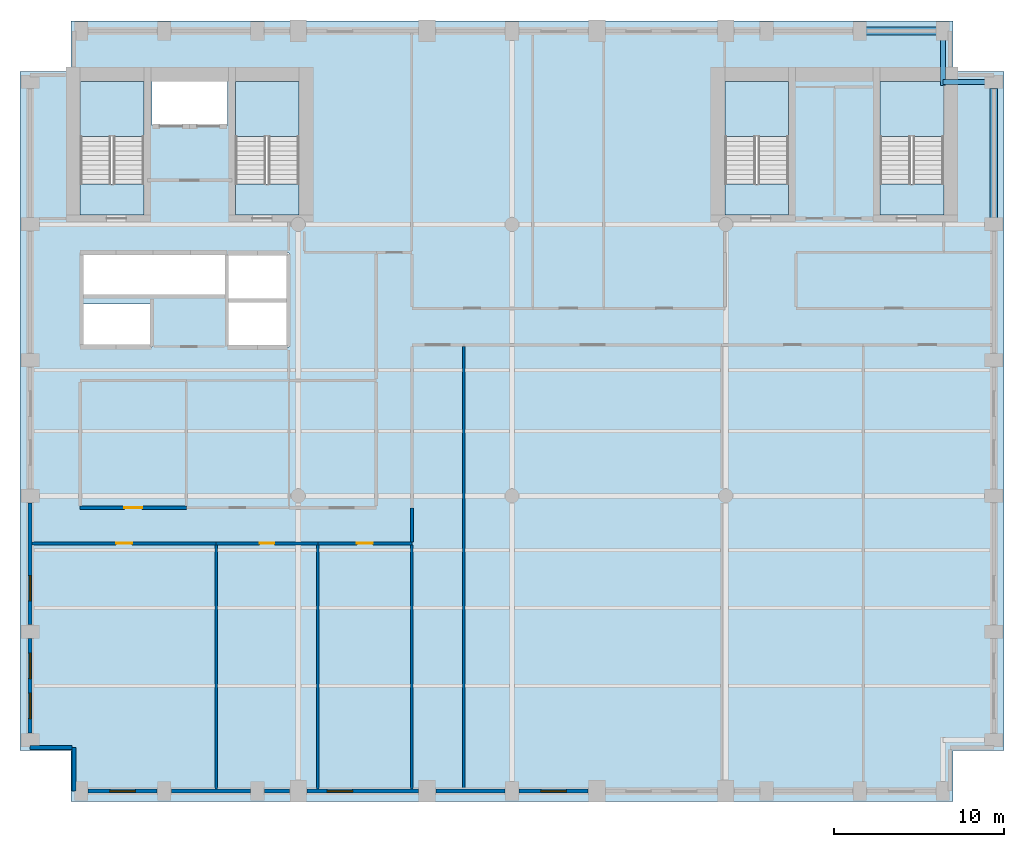
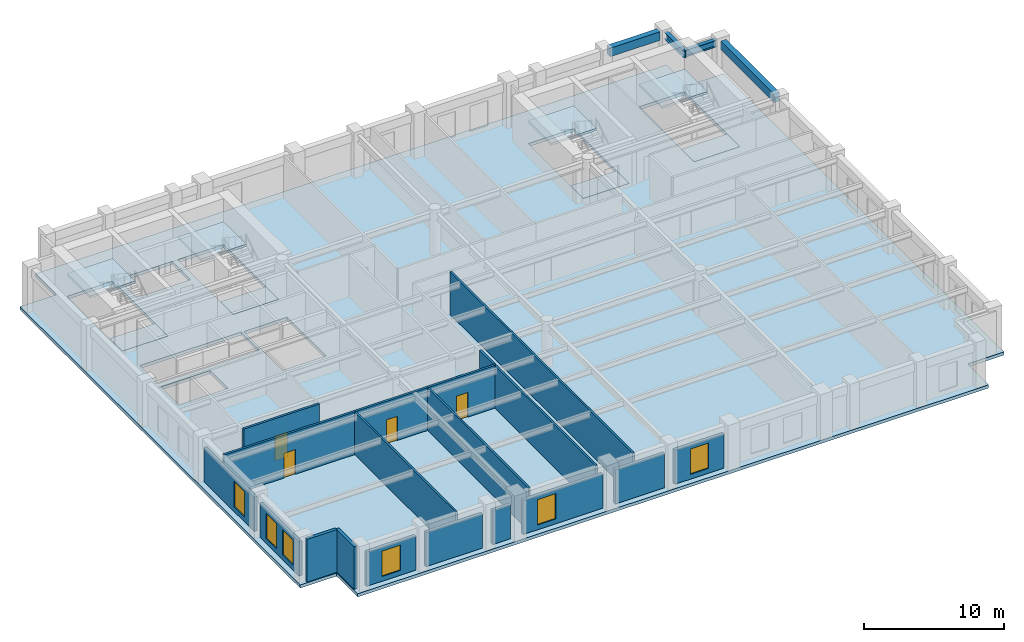
# One storey, part 2 of 8: 19 walls, 9 slabs, 6 windows, 4 beams, 4 doors, 10 openings, 4 elements without a shape of their own.
"""IFC4 building model written with IfcOpenShell, lengths in metres."""

from ifc_helpers import new_model, si_unit, direction, frame, frame_2d, origin, origin_2d, place, context, subcontext, project, spatial, polyline, rectangle, i_section, outline, extrude, material, layer, layer_set, material_profile, profile_set, type_object, element, fill, aggregate, save


model = new_model("IFC4")

# Units and contexts
model_context = context("Model", 3, precision=1e-05, world=origin(), true_north=direction((0.0, 1.0)))
body_context = subcontext(model_context, "Body", "Model", "MODEL_VIEW")
ifc_project = project(units=[si_unit("LENGTHUNIT", "METRE"), si_unit("AREAUNIT", "SQUARE_METRE"), si_unit("VOLUMEUNIT", "CUBIC_METRE"), si_unit("PLANEANGLEUNIT", "RADIAN"), si_unit("MASSUNIT", "GRAM", prefix="KILO")], contexts=[model_context])

# Site, building, storey
site_placement = place(None, origin())
site = spatial("IfcSite", under=ifc_project, at=site_placement, CompositionType="ELEMENT")
building_placement = place(site_placement, origin())
building = spatial("IfcBuilding", under=site, at=building_placement, Name="Sulina Concourse Tower", CompositionType="ELEMENT")
storey_placement = place(building_placement, frame((0.0, 0.0, 170.60009765625)))
storey = spatial("IfcBuildingStorey", under=building, at=storey_placement, Name="L41", CompositionType="ELEMENT", Elevation=170.60009765625)

# Beams
ifc_material_1 = material(Name="Steel S355", Category="steel")
ifc_material_profile_1 = material_profile(ifc_material_1, i_section(OverallWidth=0.300048828125, OverallDepth=0.60009765625, WebThickness=0.015380859375, FlangeThickness=0.030029296875, at=origin_2d()), Name="HE 600 B")
ifc_profile_set_1 = profile_set([ifc_material_profile_1], Name="Steel S355")
beam_type_1 = type_object("IfcBeamType", Name="Floor Primary Girder Zone 3 HE600B", PredefinedType="BEAM", material=ifc_profile_set_1)
beam_1_placement = place(storey_placement, frame((54.39990234375, 42.39990234375, 3.4248046875), z_axis=(1.0, 0.0, 0.0), x_axis=(0.0, 1.0, 0.0)))
element("IfcBeam", 1, at=beam_1_placement, inside=storey, type_object=beam_type_1, Name="TIE-NE-L41", PredefinedType="BEAM", context=body_context, shape_type="SweptSolid", body=[
    extrude(i_section(OverallWidth=0.300048828125, OverallDepth=0.60009765625, WebThickness=0.015380859375, FlangeThickness=0.030029296875, at=origin_2d()), origin(), (0.0, 0.0, 1.0), 2.6201171875),
])
beam_2_placement = place(storey_placement, frame((54.39990234375, 42.199951171875, 3.4248046875), z_axis=(0.0, 1.0, 0.0), x_axis=(-1.0, 0.0, 0.0)))
element("IfcBeam", 2, at=beam_2_placement, inside=storey, type_object=beam_type_1, Name="TIE-NEN-L41", PredefinedType="BEAM", context=body_context, shape_type="SweptSolid", body=[
    extrude(i_section(OverallWidth=0.300048828125, OverallDepth=0.60009765625, WebThickness=0.015380859375, FlangeThickness=0.030029296875, at=origin_2d()), origin(), (0.0, 0.0, 1.0), 2.820068359375),
])
ifc_material_2 = material(Name="Precast concrete C50/60", Category="concrete")
ifc_material_profile_2 = material_profile(ifc_material_2, rectangle(XDim=0.449951171875, YDim=0.75, at=origin_2d()), Name="RC 450x750")
ifc_profile_set_2 = profile_set([ifc_material_profile_2], Name="Precast concrete C50/60")
beam_type_2 = type_object("IfcBeamType", Name="Upper Precast Spandrel Edge Beam 450x750", PredefinedType="BEAM", material=ifc_profile_set_2)
beam_3_placement = place(storey_placement, frame((49.8798828125, 45.39990234375, 3.349853515625), z_axis=(1.0, 0.0, 0.0), x_axis=(0.0, 1.0, 0.0)))
element("IfcBeam", 3, at=beam_3_placement, inside=storey, type_object=beam_type_2, Name="SP-N10-L41", PredefinedType="BEAM", context=body_context, shape_type="SweptSolid", body=[
    extrude(rectangle(XDim=0.449951171875, YDim=0.75, at=origin_2d()), origin(), (0.0, 0.0, 1.0), 4.14013671875),
])
beam_4_placement = place(storey_placement, frame((57.39990234375, 34.3798828125, 3.349853515625), z_axis=(0.0, 1.0, 0.0), x_axis=(-1.0, 0.0, 0.0)))
element("IfcBeam", 4, at=beam_4_placement, inside=storey, type_object=beam_type_2, Name="SP-E5-L41", PredefinedType="BEAM", context=body_context, shape_type="SweptSolid", body=[
    extrude(rectangle(XDim=0.449951171875, YDim=0.75, at=origin_2d()), origin(), (0.0, 0.0, 1.0), 7.64013671875),
])

# Slabs
ifc_material_3 = material(Name="Concrete C50/60", Category="concrete")
ifc_layer_1 = layer(ifc_material_3, 0.27490234375)
ifc_layer_set_1 = layer_set([ifc_layer_1], Name="Concrete C50/60")
slab_type_1 = type_object("IfcSlabType", Name="Mid-Rise Composite Floor Slab 275mm", PredefinedType="FLOOR", material=ifc_layer_set_1)
slab_1_placement = place(storey_placement, frame((0.0, 0.0, -0.275146484375)))
element("IfcSlab", 5, at=slab_1_placement, inside=storey, type_object=slab_type_1, Name="L41 structural floor slab", PredefinedType="FLOOR", context=body_context, shape_type="SweptSolid", body=[
    extrude(outline(polyline([(3.0, 0.0), (55.0, 0.0), (55.0, 3.0), (58.0, 3.0), (58.0, 43.0), (55.0, 43.0), (55.0, 46.0), (3.0, 46.0), (3.0, 43.0), (0.0, 43.0), (0.0, 3.0), (3.0, 3.0), (3.0, 0.0)]), holes=[polyline([(7.31005859375, 34.550048828125), (7.31005859375, 42.429931640625), (3.550048828125, 42.429931640625), (3.550048828125, 34.550048828125), (7.31005859375, 34.550048828125)]), polyline([(16.449951171875, 34.550048828125), (16.449951171875, 42.429931640625), (12.68994140625, 42.429931640625), (12.68994140625, 34.550048828125), (16.449951171875, 34.550048828125)]), polyline([(45.31005859375, 34.550048828125), (45.31005859375, 42.429931640625), (41.550048828125, 42.429931640625), (41.550048828125, 34.550048828125), (45.31005859375, 34.550048828125)]), polyline([(54.449951171875, 34.550048828125), (54.449951171875, 42.429931640625), (50.68994140625, 42.429931640625), (50.68994140625, 34.550048828125), (54.449951171875, 34.550048828125)]), polyline([(7.780029296875, 39.830078125), (12.219970703125, 39.830078125), (12.219970703125, 42.449951171875), (7.780029296875, 42.449951171875), (7.780029296875, 39.830078125)]), polyline([(3.739990234375, 26.780029296875), (7.77001953125, 26.780029296875), (7.77001953125, 29.320068359375), (3.739990234375, 29.320068359375), (3.739990234375, 26.780029296875)]), polyline([(3.739990234375, 29.780029296875), (12.10009765625, 29.780029296875), (12.10009765625, 32.3701171875), (3.739990234375, 32.3701171875), (3.739990234375, 29.780029296875)]), polyline([(12.280029296875, 26.780029296875), (15.85009765625, 26.780029296875), (15.85009765625, 32.320068359375), (12.280029296875, 32.320068359375), (12.280029296875, 26.780029296875)])]), origin(), (0.0, 0.0, 1.0), 0.275146484375),
])
ifc_material_4 = material(Name="Concrete C50/60", Category="concrete")
ifc_layer_2 = layer(ifc_material_4, 0.199951171875)
ifc_layer_set_2 = layer_set([ifc_layer_2], Name="Concrete C50/60")
slab_type_2 = type_object("IfcSlabType", Name="Primary Core Stair Landing Slab 200mm", PredefinedType="LANDING", material=ifc_layer_set_2)
slab_2_placement = place(storey_placement, frame((0.0, 0.0, -0.2001953125)))
element("IfcSlab", 6, at=slab_2_placement, inside=storey, type_object=slab_type_2, Name="L41 ST-1 floor landing slab", PredefinedType="LANDING", context=body_context, shape_type="SweptSolid", body=[
    extrude(outline(polyline([(7.31005859375, 34.550048828125), (7.31005859375, 36.375), (3.550048828125, 36.375), (3.550048828125, 34.550048828125), (7.31005859375, 34.550048828125)])), origin(), (0.0, 0.0, 1.0), 0.2001953125),
])
slab_3_placement = place(storey_placement, frame((0.0, 0.0, -0.2001953125)))
element("IfcSlab", 7, at=slab_3_placement, inside=storey, type_object=slab_type_2, Name="L41 ST-2 floor landing slab", PredefinedType="LANDING", context=body_context, shape_type="SweptSolid", body=[
    extrude(outline(polyline([(16.449951171875, 34.550048828125), (16.449951171875, 36.375), (12.68994140625, 36.375), (12.68994140625, 34.550048828125), (16.449951171875, 34.550048828125)])), origin(), (0.0, 0.0, 1.0), 0.2001953125),
])
slab_4_placement = place(storey_placement, frame((0.0, 0.0, -0.2001953125)))
element("IfcSlab", 8, at=slab_4_placement, inside=storey, type_object=slab_type_2, Name="L41 ST-3 floor landing slab", PredefinedType="LANDING", context=body_context, shape_type="SweptSolid", body=[
    extrude(outline(polyline([(45.31005859375, 34.550048828125), (45.31005859375, 36.375), (41.550048828125, 36.375), (41.550048828125, 34.550048828125), (45.31005859375, 34.550048828125)])), origin(), (0.0, 0.0, 1.0), 0.2001953125),
])
slab_5_placement = place(storey_placement, frame((0.0, 0.0, -0.2001953125)))
element("IfcSlab", 9, at=slab_5_placement, inside=storey, type_object=slab_type_2, Name="L41 ST-4 floor landing slab", PredefinedType="LANDING", context=body_context, shape_type="SweptSolid", body=[
    extrude(outline(polyline([(54.449951171875, 34.550048828125), (54.449951171875, 36.375), (50.68994140625, 36.375), (50.68994140625, 34.550048828125), (54.449951171875, 34.550048828125)])), origin(), (0.0, 0.0, 1.0), 0.2001953125),
])

# Stair, slab
ifc_material_5 = material(Name="Concrete C50/60", Category="concrete")
stair_type_1 = type_object("IfcStairType", Name="Primary Core Dog-Leg Exit Stair 1800mm", PredefinedType="HALF_TURN_STAIR", material=ifc_material_5)
stair_1_placement = place(storey_placement, origin())
stair_1 = element("IfcStair", 10, at=stair_1_placement, inside=storey, type_object=stair_type_1, Name="L41 ST-1", PredefinedType="HALF_TURN_STAIR")
slab_6_placement = place(storey_placement, frame((0.0, 0.0, 1.7998046875)))
slab_6 = element("IfcSlab", 11, at=slab_6_placement, type_object=slab_type_2, Name="ST-1 landing 1", PredefinedType="LANDING", context=body_context, shape_type="SweptSolid", body=[
    extrude(outline(polyline([(7.304931640625, 39.175048828125), (7.304931640625, 42.425048828125), (3.554931640625, 42.425048828125), (3.554931640625, 39.175048828125), (7.304931640625, 39.175048828125)])), origin(), (0.0, 0.0, 1.0), 0.2001953125),
])
aggregate(stair_1, [slab_6])

stair_2_placement = place(storey_placement, origin())
stair_2 = element("IfcStair", 12, at=stair_2_placement, inside=storey, type_object=stair_type_1, Name="L41 ST-2", PredefinedType="HALF_TURN_STAIR")
slab_7_placement = place(storey_placement, frame((0.0, 0.0, 1.7998046875)))
slab_7 = element("IfcSlab", 13, at=slab_7_placement, type_object=slab_type_2, Name="ST-2 landing 1", PredefinedType="LANDING", context=body_context, shape_type="SweptSolid", body=[
    extrude(outline(polyline([(16.445068359375, 39.175048828125), (16.445068359375, 42.425048828125), (12.695068359375, 42.425048828125), (12.695068359375, 39.175048828125), (16.445068359375, 39.175048828125)])), origin(), (0.0, 0.0, 1.0), 0.2001953125),
])
aggregate(stair_2, [slab_7])

ifc_material_6 = material(Name="Concrete C50/60", Category="concrete")
stair_type_2 = type_object("IfcStairType", Name="Portal & Podium Core Exit Stair 1820mm", PredefinedType="HALF_TURN_STAIR", material=ifc_material_6)
stair_3_placement = place(storey_placement, origin())
stair_3 = element("IfcStair", 14, at=stair_3_placement, inside=storey, type_object=stair_type_2, Name="L41 ST-3", PredefinedType="HALF_TURN_STAIR")
slab_8_placement = place(storey_placement, frame((0.0, 0.0, 1.7998046875)))
slab_8 = element("IfcSlab", 15, at=slab_8_placement, type_object=slab_type_2, Name="ST-3 landing 1", PredefinedType="LANDING", context=body_context, shape_type="SweptSolid", body=[
    extrude(outline(polyline([(45.304931640625, 39.175048828125), (45.304931640625, 42.425048828125), (41.554931640625, 42.425048828125), (41.554931640625, 39.175048828125), (45.304931640625, 39.175048828125)])), origin(), (0.0, 0.0, 1.0), 0.2001953125),
])
aggregate(stair_3, [slab_8])

stair_4_placement = place(storey_placement, origin())
stair_4 = element("IfcStair", 16, at=stair_4_placement, inside=storey, type_object=stair_type_2, Name="L41 ST-4", PredefinedType="HALF_TURN_STAIR")
slab_9_placement = place(storey_placement, frame((0.0, 0.0, 1.7998046875)))
slab_9 = element("IfcSlab", 17, at=slab_9_placement, type_object=slab_type_2, Name="ST-4 landing 1", PredefinedType="LANDING", context=body_context, shape_type="SweptSolid", body=[
    extrude(outline(polyline([(54.445068359375, 39.175048828125), (54.445068359375, 42.425048828125), (50.695068359375, 42.425048828125), (50.695068359375, 39.175048828125), (54.445068359375, 39.175048828125)])), origin(), (0.0, 0.0, 1.0), 0.2001953125),
])
aggregate(stair_4, [slab_9])

# Wall, opening, window
ifc_material_7 = material(Name="Precast concrete C50/60", Category="concrete")
ifc_layer_3 = layer(ifc_material_7, 0.239990234375)
ifc_layer_set_3 = layer_set([ifc_layer_3], Name="Precast concrete C50/60")
wall_type_1 = type_object("IfcWallType", Name="Crown Precast Masonry-Frame Facade Wall 240mm", PredefinedType="SOLIDWALL", material=ifc_layer_set_3)
wall_1_placement = place(storey_placement, frame((8.080078125, 0.60009765625, 0.0), z_axis=(0.0, 0.0, 1.0), x_axis=(-1.0, 0.0, 0.0)))
wall_1 = element("IfcWall", 18, at=wall_1_placement, inside=storey, type_object=wall_type_1, Name="L41 exterior precast wall S1", PredefinedType="SOLIDWALL", context=body_context, shape_type="SweptSolid", body=[
    extrude(rectangle(XDim=4.06005859375, YDim=0.239990234375, at=frame_2d((2.030029296875, 0.0))), origin(), (0.0, 0.0, 1.0), 2.974853515625),
])
opening_1_placement = place(wall_1_placement, frame((1.280029296875, 0.0, 0.419921875)))
opening_1 = element("IfcOpeningElement", 19, at=opening_1_placement, cuts=wall_1, Name="Opening WN-71", PredefinedType="OPENING", context=body_context, shape_type="SweptSolid", body=[
    extrude(rectangle(XDim=1.5, YDim=2.199951171875, at=frame_2d((0.75, 1.10009765625))), frame((0.0, 0.1298828125, 0.0), z_axis=(0.0, -1.0, 0.0), x_axis=(1.0, 0.0, 0.0)), (0.0, 0.0, 1.0), 0.260009765625),
])
ifc_material_8 = material(Name="Low-E solar double glazing in bronze aluminium", Category="aluminium")
window_type = type_object("IfcWindowType", Name="Punched Masonry-Frame Window 1500x2200", PartitioningType="SINGLE_PANEL", PredefinedType="WINDOW", material=ifc_material_8)
window_1_placement = place(opening_1_placement, origin())
window_1 = element("IfcWindow", 20, at=window_1_placement, inside=storey, type_object=window_type, Name="L41 punched window S1-1", OverallHeight=2.199951171875, OverallWidth=1.5, PartitioningType="SINGLE_PANEL", PredefinedType="WINDOW", context=body_context, shape_type="SweptSolid", body=[
    extrude(rectangle(XDim=1.5, YDim=2.199951171875, at=frame_2d((0.75, 1.10009765625))), frame((0.0, 0.030029296875, 0.0), z_axis=(0.0, -1.0, 0.0), x_axis=(1.0, 0.0, 0.0)), (0.0, 0.0, 1.0), 0.06005859375),
])
fill(opening_1, window_1)

# Walls
wall_2_placement = place(storey_placement, frame((13.580078125, 0.60009765625, 0.0), z_axis=(0.0, 0.0, 1.0), x_axis=(-1.0, 0.0, 0.0)))
element("IfcWall", 21, at=wall_2_placement, inside=storey, type_object=wall_type_1, Name="L41 exterior precast wall S2", PredefinedType="SOLIDWALL", context=body_context, shape_type="SweptSolid", body=[
    extrude(rectangle(XDim=4.66015625, YDim=0.239990234375, at=frame_2d((2.330078125, 0.0))), origin(), (0.0, 0.0, 1.0), 2.974853515625),
])
wall_3_placement = place(storey_placement, frame((15.8798828125, 0.60009765625, 0.0), z_axis=(0.0, 0.0, 1.0), x_axis=(-1.0, 0.0, 0.0)))
element("IfcWall", 22, at=wall_3_placement, inside=storey, type_object=wall_type_1, Name="L41 exterior precast wall S3", PredefinedType="SOLIDWALL", context=body_context, shape_type="SweptSolid", body=[
    extrude(rectangle(XDim=1.4599609375, YDim=0.239990234375, at=frame_2d((0.72998046875, 0.0))), origin(), (0.0, 0.0, 1.0), 2.974853515625),
])

# Wall, opening, window
wall_4_placement = place(storey_placement, frame((23.47998046875, 0.60009765625, 0.0), z_axis=(0.0, 0.0, 1.0), x_axis=(-1.0, 0.0, 0.0)))
wall_4 = element("IfcWall", 23, at=wall_4_placement, inside=storey, type_object=wall_type_1, Name="L41 exterior precast wall S4", PredefinedType="SOLIDWALL", context=body_context, shape_type="SweptSolid", body=[
    extrude(rectangle(XDim=6.56005859375, YDim=0.239990234375, at=frame_2d((3.280029296875, 0.0))), origin(), (0.0, 0.0, 1.0), 2.974853515625),
])
opening_2_placement = place(wall_4_placement, frame((3.873291015625, 0.0, 0.419921875)))
opening_2 = element("IfcOpeningElement", 24, at=opening_2_placement, cuts=wall_4, Name="Opening WN-71", PredefinedType="OPENING", context=body_context, shape_type="SweptSolid", body=[
    extrude(rectangle(XDim=1.5, YDim=2.199951171875, at=frame_2d((0.75, 1.10009765625))), frame((0.0, 0.1298828125, 0.0), z_axis=(0.0, -1.0, 0.0), x_axis=(1.0, 0.0, 0.0)), (0.0, 0.0, 1.0), 0.260009765625),
])
window_2_placement = place(opening_2_placement, origin())
window_2 = element("IfcWindow", 25, at=window_2_placement, inside=storey, type_object=window_type, Name="L41 punched window S4-1", OverallHeight=2.199951171875, OverallWidth=1.5, PartitioningType="SINGLE_PANEL", PredefinedType="WINDOW", context=body_context, shape_type="SweptSolid", body=[
    extrude(rectangle(XDim=1.5, YDim=2.199951171875, at=frame_2d((0.75, 1.10009765625))), frame((0.0, 0.030029296875, 0.0), z_axis=(0.0, -1.0, 0.0), x_axis=(1.0, 0.0, 0.0)), (0.0, 0.0, 1.0), 0.06005859375),
])
fill(opening_2, window_2)

# Wall
wall_5_placement = place(storey_placement, frame((28.580078125, 0.60009765625, 0.0), z_axis=(0.0, 0.0, 1.0), x_axis=(-1.0, 0.0, 0.0)))
element("IfcWall", 26, at=wall_5_placement, inside=storey, type_object=wall_type_1, Name="L41 exterior precast wall S5", PredefinedType="SOLIDWALL", context=body_context, shape_type="SweptSolid", body=[
    extrude(rectangle(XDim=4.06005859375, YDim=0.239990234375, at=frame_2d((2.030029296875, 0.0))), origin(), (0.0, 0.0, 1.0), 2.974853515625),
])

# Wall, opening, window
wall_6_placement = place(storey_placement, frame((33.47998046875, 0.60009765625, 0.0), z_axis=(0.0, 0.0, 1.0), x_axis=(-1.0, 0.0, 0.0)))
wall_6 = element("IfcWall", 27, at=wall_6_placement, inside=storey, type_object=wall_type_1, Name="L41 exterior precast wall S6", PredefinedType="SOLIDWALL", context=body_context, shape_type="SweptSolid", body=[
    extrude(rectangle(XDim=4.06005859375, YDim=0.239990234375, at=frame_2d((2.030029296875, 0.0))), origin(), (0.0, 0.0, 1.0), 2.974853515625),
])
opening_3_placement = place(wall_6_placement, frame((1.280029296875, 0.0, 0.419921875)))
opening_3 = element("IfcOpeningElement", 28, at=opening_3_placement, cuts=wall_6, Name="Opening WN-71", PredefinedType="OPENING", context=body_context, shape_type="SweptSolid", body=[
    extrude(rectangle(XDim=1.5, YDim=2.199951171875, at=frame_2d((0.75, 1.10009765625))), frame((0.0, 0.1298828125, 0.0), z_axis=(0.0, -1.0, 0.0), x_axis=(1.0, 0.0, 0.0)), (0.0, 0.0, 1.0), 0.260009765625),
])
window_3_placement = place(opening_3_placement, origin())
window_3 = element("IfcWindow", 29, at=window_3_placement, inside=storey, type_object=window_type, Name="L41 punched window S6-1", OverallHeight=2.199951171875, OverallWidth=1.5, PartitioningType="SINGLE_PANEL", PredefinedType="WINDOW", context=body_context, shape_type="SweptSolid", body=[
    extrude(rectangle(XDim=1.5, YDim=2.199951171875, at=frame_2d((0.75, 1.10009765625))), frame((0.0, 0.030029296875, 0.0), z_axis=(0.0, -1.0, 0.0), x_axis=(1.0, 0.0, 0.0)), (0.0, 0.0, 1.0), 0.06005859375),
])
fill(opening_3, window_3)

# Wall, openings, windows
wall_7_placement = place(storey_placement, frame((0.60009765625, 4.02001953125, 0.0), z_axis=(0.0, 0.0, 1.0), x_axis=(0.0, 1.0, 0.0)))
wall_7 = element("IfcWall", 30, at=wall_7_placement, inside=storey, type_object=wall_type_1, Name="L41 exterior precast wall W1", PredefinedType="SOLIDWALL", context=body_context, shape_type="SweptSolid", body=[
    extrude(rectangle(XDim=5.56005859375, YDim=0.239990234375, at=frame_2d((2.780029296875, 0.0))), origin(), (0.0, 0.0, 1.0), 2.974853515625),
])
opening_4_placement = place(wall_7_placement, frame((0.853271484375, 0.0, 0.419921875)))
opening_4 = element("IfcOpeningElement", 31, at=opening_4_placement, cuts=wall_7, Name="Opening WN-71", PredefinedType="OPENING", context=body_context, shape_type="SweptSolid", body=[
    extrude(rectangle(XDim=1.5, YDim=2.199951171875, at=frame_2d((0.75, 1.10009765625))), frame((0.0, 0.1298828125, 0.0), z_axis=(0.0, -1.0, 0.0), x_axis=(1.0, 0.0, 0.0)), (0.0, 0.0, 1.0), 0.260009765625),
])
opening_5_placement = place(wall_7_placement, frame((3.206787109375, 0.0, 0.419921875)))
opening_5 = element("IfcOpeningElement", 32, at=opening_5_placement, cuts=wall_7, Name="Opening WN-71", PredefinedType="OPENING", context=body_context, shape_type="SweptSolid", body=[
    extrude(rectangle(XDim=1.5, YDim=2.199951171875, at=frame_2d((0.75, 1.10009765625))), frame((0.0, 0.1298828125, 0.0), z_axis=(0.0, -1.0, 0.0), x_axis=(1.0, 0.0, 0.0)), (0.0, 0.0, 1.0), 0.260009765625),
])
window_4_placement = place(opening_4_placement, origin())
window_4 = element("IfcWindow", 33, at=window_4_placement, inside=storey, type_object=window_type, Name="L41 punched window W1-1", OverallHeight=2.199951171875, OverallWidth=1.5, PartitioningType="SINGLE_PANEL", PredefinedType="WINDOW", context=body_context, shape_type="SweptSolid", body=[
    extrude(rectangle(XDim=1.5, YDim=2.199951171875, at=frame_2d((0.75, 1.10009765625))), frame((0.0, 0.030029296875, 0.0), z_axis=(0.0, -1.0, 0.0), x_axis=(1.0, 0.0, 0.0)), (0.0, 0.0, 1.0), 0.06005859375),
])
fill(opening_4, window_4)
window_5_placement = place(opening_5_placement, origin())
window_5 = element("IfcWindow", 34, at=window_5_placement, inside=storey, type_object=window_type, Name="L41 punched window W1-2", OverallHeight=2.199951171875, OverallWidth=1.5, PartitioningType="SINGLE_PANEL", PredefinedType="WINDOW", context=body_context, shape_type="SweptSolid", body=[
    extrude(rectangle(XDim=1.5, YDim=2.199951171875, at=frame_2d((0.75, 1.10009765625))), frame((0.0, 0.030029296875, 0.0), z_axis=(0.0, -1.0, 0.0), x_axis=(1.0, 0.0, 0.0)), (0.0, 0.0, 1.0), 0.06005859375),
])
fill(opening_5, window_5)

# Wall, opening, window
wall_8_placement = place(storey_placement, frame((0.60009765625, 10.419921875, 0.0), z_axis=(0.0, 0.0, 1.0), x_axis=(0.0, 1.0, 0.0)))
wall_8 = element("IfcWall", 35, at=wall_8_placement, inside=storey, type_object=wall_type_1, Name="L41 exterior precast wall W2", PredefinedType="SOLIDWALL", context=body_context, shape_type="SweptSolid", body=[
    extrude(rectangle(XDim=7.16015625, YDim=0.239990234375, at=frame_2d((3.580078125, 0.0))), origin(), (0.0, 0.0, 1.0), 2.974853515625),
])
opening_6_placement = place(wall_8_placement, frame((1.38671875, 0.0, 0.419921875)))
opening_6 = element("IfcOpeningElement", 36, at=opening_6_placement, cuts=wall_8, Name="Opening WN-71", PredefinedType="OPENING", context=body_context, shape_type="SweptSolid", body=[
    extrude(rectangle(XDim=1.5, YDim=2.199951171875, at=frame_2d((0.75, 1.10009765625))), frame((0.0, 0.1298828125, 0.0), z_axis=(0.0, -1.0, 0.0), x_axis=(1.0, 0.0, 0.0)), (0.0, 0.0, 1.0), 0.260009765625),
])
window_6_placement = place(opening_6_placement, origin())
window_6 = element("IfcWindow", 37, at=window_6_placement, inside=storey, type_object=window_type, Name="L41 punched window W2-1", OverallHeight=2.199951171875, OverallWidth=1.5, PartitioningType="SINGLE_PANEL", PredefinedType="WINDOW", context=body_context, shape_type="SweptSolid", body=[
    extrude(rectangle(XDim=1.5, YDim=2.199951171875, at=frame_2d((0.75, 1.10009765625))), frame((0.0, 0.030029296875, 0.0), z_axis=(0.0, -1.0, 0.0), x_axis=(1.0, 0.0, 0.0)), (0.0, 0.0, 1.0), 0.06005859375),
])
fill(opening_6, window_6)

# Walls
wall_9_placement = place(storey_placement, frame((3.179931640625, 0.60009765625, 0.0), z_axis=(0.0, 0.0, 1.0), x_axis=(0.0, 1.0, 0.0)))
element("IfcWall", 38, at=wall_9_placement, inside=storey, type_object=wall_type_1, Name="L41 exterior precast wall CSW1", PredefinedType="SOLIDWALL", context=body_context, shape_type="SweptSolid", body=[
    extrude(rectangle(XDim=2.579833984375, YDim=0.239990234375, at=frame_2d((1.2900390625, 0.0))), origin(), (0.0, 0.0, 1.0), 3.724853515625),
])
wall_10_placement = place(storey_placement, frame((3.054931640625, 3.179931640625, 0.0), z_axis=(0.0, 0.0, 1.0), x_axis=(-1.0, 0.0, 0.0)))
element("IfcWall", 39, at=wall_10_placement, inside=storey, type_object=wall_type_1, Name="L41 exterior precast wall CSW2", PredefinedType="SOLIDWALL", context=body_context, shape_type="SweptSolid", body=[
    extrude(rectangle(XDim=2.454833984375, YDim=0.239990234375, at=frame_2d((1.2275390625, 0.0))), origin(), (0.0, 0.0, 1.0), 3.724853515625),
])
ifc_material_9 = material(Name="Gypsum board on steel stud", Category="steel")
ifc_layer_4 = layer(ifc_material_9, 0.14990234375)
ifc_layer_set_4 = layer_set([ifc_layer_4], Name="Gypsum board on steel stud")
wall_type_2 = type_object("IfcWallType", Name="Inter-Tenancy Acoustic Partition 150mm", PredefinedType="PARTITIONING", material=ifc_layer_set_4)
for number, where, z_axis, x_axis, name in (
    (40, (11.56005859375, 0.719970703125, 0.0), (0.0, 0.0, 1.0), (0.0, 1.0, 0.0), "L41 interior partition 028"),
    (41, (17.56005859375, 0.719970703125, 0.0), (0.0, 0.0, 1.0), (0.0, 1.0, 0.0), "L41 interior partition 033"),
    (42, (23.10009765625, 0.719970703125, 0.0), (0.0, 0.0, 1.0), (0.0, 1.0, 0.0), "L41 interior partition 036"),
):
    element("IfcWall", number, at=place(storey_placement, frame(where, z_axis=z_axis, x_axis=x_axis)), inside=storey, type_object=wall_type_2, Name=name, PredefinedType="PARTITIONING", context=body_context, shape_type="SweptSolid", body=[
        extrude(rectangle(XDim=14.39013671875, YDim=0.14990234375, at=frame_2d((7.195068359375, 0.0))), origin(), (0.0, 0.0, 1.0), 3.724853515625),
    ])
wall_11_placement = place(storey_placement, frame((26.159912109375, 0.719970703125, 0.0), z_axis=(0.0, 0.0, 1.0), x_axis=(0.0, 1.0, 0.0)))
element("IfcWall", 43, at=wall_11_placement, inside=storey, type_object=wall_type_2, Name="L41 interior partition 041", PredefinedType="PARTITIONING", context=body_context, shape_type="SweptSolid", body=[
    extrude(rectangle(XDim=26.090087890625, YDim=0.14990234375, at=frame_2d((13.044921875, 0.0))), origin(), (0.0, 0.0, 1.0), 3.724853515625),
])

# Wall, opening, door
ifc_material_10 = material(Name="Gypsum board on steel stud", Category="steel")
ifc_layer_5 = layer(ifc_material_10, 0.179931640625)
ifc_layer_set_5 = layer_set([ifc_layer_5], Name="Gypsum board on steel stud")
wall_type_3 = type_object("IfcWallType", Name="Protected Corridor & Riser Partition 180mm", PredefinedType="PARTITIONING", material=ifc_layer_set_5)
wall_12_placement = place(storey_placement, frame((0.719970703125, 15.199951171875, 0.0), z_axis=(0.0, 0.0, 1.0), x_axis=(1.0, 0.0, 0.0)))
wall_12 = element("IfcWall", 44, at=wall_12_placement, inside=storey, type_object=wall_type_3, Name="L41 interior partition 001", PredefinedType="PARTITIONING", context=body_context, shape_type="SweptSolid", body=[
    extrude(rectangle(XDim=10.840087890625, YDim=0.179931640625, at=frame_2d((5.419921875, 0.0))), origin(), (0.0, 0.0, 1.0), 3.724853515625),
])
opening_7_placement = place(wall_12_placement, frame((4.945068359375, 0.0, 0.0)))
opening_7 = element("IfcOpeningElement", 45, at=opening_7_placement, cuts=wall_12, Name="Opening DR-19", PredefinedType="OPENING", context=body_context, shape_type="SweptSolid", body=[
    extrude(rectangle(XDim=0.949951171875, YDim=2.14990234375, at=frame_2d((0.47509765625, 1.074951171875))), frame((0.0, 0.099853515625, 0.0), z_axis=(0.0, -1.0, 0.0), x_axis=(1.0, 0.0, 0.0)), (0.0, 0.0, 1.0), 0.199951171875),
])
ifc_material_11 = material(Name="Oak-veneered acoustic timber leaf", Category="wood")
ifc_layer_6 = layer(ifc_material_11, 0.050048828125)
ifc_layer_set_6 = layer_set([ifc_layer_6], Name="Oak-veneered acoustic timber leaf")
door_type_1 = type_object("IfcDoorType", Name="Cellular Office & Meeting Door 950x2150", OperationType="NOTDEFINED", PredefinedType="DOOR", material=ifc_layer_set_6)
door_1_placement = place(opening_7_placement, origin())
door_1 = element("IfcDoor", 46, at=door_1_placement, inside=storey, type_object=door_type_1, Name="L41 interior door L41-S01", OperationType="SINGLE_SWING_LEFT", OverallHeight=2.14990234375, OverallWidth=0.949951171875, PredefinedType="DOOR", context=body_context, shape_type="SweptSolid", body=[
    extrude(rectangle(XDim=0.949951171875, YDim=2.14990234375, at=frame_2d((0.47509765625, 1.074951171875))), frame((0.0, 0.02490234375, 0.0), z_axis=(0.0, -1.0, 0.0), x_axis=(1.0, 0.0, 0.0)), (0.0, 0.0, 1.0), 0.050048828125),
])
fill(opening_7, door_1)

wall_13_placement = place(storey_placement, frame((11.56005859375, 15.199951171875, 0.0), z_axis=(0.0, 0.0, 1.0), x_axis=(1.0, 0.0, 0.0)))
wall_13 = element("IfcWall", 47, at=wall_13_placement, inside=storey, type_object=wall_type_3, Name="L41 interior partition 002", PredefinedType="PARTITIONING", context=body_context, shape_type="SweptSolid", body=[
    extrude(rectangle(XDim=6.0, YDim=0.179931640625, at=frame_2d((3.0, 0.0))), origin(), (0.0, 0.0, 1.0), 3.724853515625),
])
opening_8_placement = place(wall_13_placement, frame((2.56005859375, 0.0, 0.0)))
opening_8 = element("IfcOpeningElement", 48, at=opening_8_placement, cuts=wall_13, Name="Opening DR-38", PredefinedType="OPENING", context=body_context, shape_type="SweptSolid", body=[
    extrude(rectangle(XDim=0.8798828125, YDim=2.10009765625, at=frame_2d((0.43994140625, 1.050048828125))), frame((0.0, 0.099853515625, 0.0), z_axis=(0.0, -1.0, 0.0), x_axis=(1.0, 0.0, 0.0)), (0.0, 0.0, 1.0), 0.199951171875),
])
ifc_material_12 = material(Name="Galvanised steel acoustic fire leaf", Category="steel")
ifc_layer_7 = layer(ifc_material_12, 0.050048828125)
ifc_layer_set_7 = layer_set([ifc_layer_7], Name="Galvanised steel acoustic fire leaf")
door_type_2 = type_object("IfcDoorType", Name="Service Riser Fire Door 880x2100", OperationType="NOTDEFINED", PredefinedType="DOOR", material=ifc_layer_set_7)
door_2_placement = place(opening_8_placement, origin())
door_2 = element("IfcDoor", 49, at=door_2_placement, inside=storey, type_object=door_type_2, Name="L41 interior door L41-S02A", OperationType="SINGLE_SWING_RIGHT", OverallHeight=2.10009765625, OverallWidth=0.8798828125, PredefinedType="DOOR", context=body_context, shape_type="SweptSolid", body=[
    extrude(rectangle(XDim=0.8798828125, YDim=2.10009765625, at=frame_2d((0.43994140625, 1.050048828125))), frame((0.0, 0.02490234375, 0.0), z_axis=(0.0, -1.0, 0.0), x_axis=(1.0, 0.0, 0.0)), (0.0, 0.0, 1.0), 0.050048828125),
])
fill(opening_8, door_2)

wall_14_placement = place(storey_placement, frame((17.56005859375, 15.199951171875, 0.0), z_axis=(0.0, 0.0, 1.0), x_axis=(1.0, 0.0, 0.0)))
wall_14 = element("IfcWall", 50, at=wall_14_placement, inside=storey, type_object=wall_type_3, Name="L41 interior partition 003", PredefinedType="PARTITIONING", context=body_context, shape_type="SweptSolid", body=[
    extrude(rectangle(XDim=5.5400390625, YDim=0.179931640625, at=frame_2d((2.77001953125, 0.0))), origin(), (0.0, 0.0, 1.0), 3.724853515625),
])
opening_9_placement = place(wall_14_placement, frame((2.294921875, 0.0, 0.0)))
opening_9 = element("IfcOpeningElement", 51, at=opening_9_placement, cuts=wall_14, Name="Opening DR-19", PredefinedType="OPENING", context=body_context, shape_type="SweptSolid", body=[
    extrude(rectangle(XDim=0.949951171875, YDim=2.14990234375, at=frame_2d((0.47509765625, 1.074951171875))), frame((0.0, 0.099853515625, 0.0), z_axis=(0.0, -1.0, 0.0), x_axis=(1.0, 0.0, 0.0)), (0.0, 0.0, 1.0), 0.199951171875),
])
door_3_placement = place(opening_9_placement, origin())
door_3 = element("IfcDoor", 52, at=door_3_placement, inside=storey, type_object=door_type_1, Name="L41 interior door L41-S02B", OperationType="SINGLE_SWING_LEFT", OverallHeight=2.14990234375, OverallWidth=0.949951171875, PredefinedType="DOOR", context=body_context, shape_type="SweptSolid", body=[
    extrude(rectangle(XDim=0.949951171875, YDim=2.14990234375, at=frame_2d((0.47509765625, 1.074951171875))), frame((0.0, 0.02490234375, 0.0), z_axis=(0.0, -1.0, 0.0), x_axis=(1.0, 0.0, 0.0)), (0.0, 0.0, 1.0), 0.050048828125),
])
fill(opening_9, door_3)

wall_15_placement = place(storey_placement, frame((3.550048828125, 17.300048828125, 0.0), z_axis=(0.0, 0.0, 1.0), x_axis=(1.0, 0.0, 0.0)))
wall_15 = element("IfcWall", 53, at=wall_15_placement, inside=storey, type_object=wall_type_3, Name="L41 interior partition 004", PredefinedType="PARTITIONING", context=body_context, shape_type="SweptSolid", body=[
    extrude(rectangle(XDim=6.25, YDim=0.179931640625, at=frame_2d((3.125, 0.0))), origin(), (0.0, 0.0, 1.0), 3.724853515625),
])
opening_10_placement = place(wall_15_placement, frame((2.60009765625, 0.0, 0.0)))
opening_10 = element("IfcOpeningElement", 54, at=opening_10_placement, cuts=wall_15, Name="Opening DR-37", PredefinedType="OPENING", context=body_context, shape_type="SweptSolid", body=[
    extrude(rectangle(XDim=1.050048828125, YDim=2.14990234375, at=frame_2d((0.52490234375, 1.074951171875))), frame((0.0, 0.099853515625, 0.0), z_axis=(0.0, -1.0, 0.0), x_axis=(1.0, 0.0, 0.0)), (0.0, 0.0, 1.0), 0.199951171875),
])
ifc_material_13 = material(Name="Oak-veneered fire door leaf")
ifc_layer_8 = layer(ifc_material_13, 0.050048828125)
ifc_layer_set_8 = layer_set([ifc_layer_8], Name="Oak-veneered fire door leaf")
door_type_3 = type_object("IfcDoorType", Name="Tenant Suite Entrance Fire Door 1050x2150", OperationType="NOTDEFINED", PredefinedType="DOOR", material=ifc_layer_set_8)
door_4_placement = place(opening_10_placement, origin())
door_4 = element("IfcDoor", 55, at=door_4_placement, inside=storey, type_object=door_type_3, Name="L41 interior door L41-LR-MRG1", OperationType="SINGLE_SWING_RIGHT", OverallHeight=2.14990234375, OverallWidth=1.050048828125, PredefinedType="DOOR", context=body_context, shape_type="SweptSolid", body=[
    extrude(rectangle(XDim=1.050048828125, YDim=2.14990234375, at=frame_2d((0.52490234375, 1.074951171875))), frame((0.0, 0.02490234375, 0.0), z_axis=(0.0, -1.0, 0.0), x_axis=(1.0, 0.0, 0.0)), (0.0, 0.0, 1.0), 0.050048828125),
])
fill(opening_10, door_4)

# Wall
wall_16_placement = place(storey_placement, frame((23.10009765625, 15.2900390625, 0.0), z_axis=(0.0, 0.0, 1.0), x_axis=(0.0, 1.0, 0.0)))
element("IfcWall", 56, at=wall_16_placement, inside=storey, type_object=wall_type_3, Name="L41 interior partition 037", PredefinedType="PARTITIONING", context=body_context, shape_type="SweptSolid", body=[
    extrude(rectangle(XDim=2.010009765625, YDim=0.179931640625, at=frame_2d((1.0048828125, 0.0))), origin(), (0.0, 0.0, 1.0), 3.724853515625),
])

save(model, "model.ifc")
